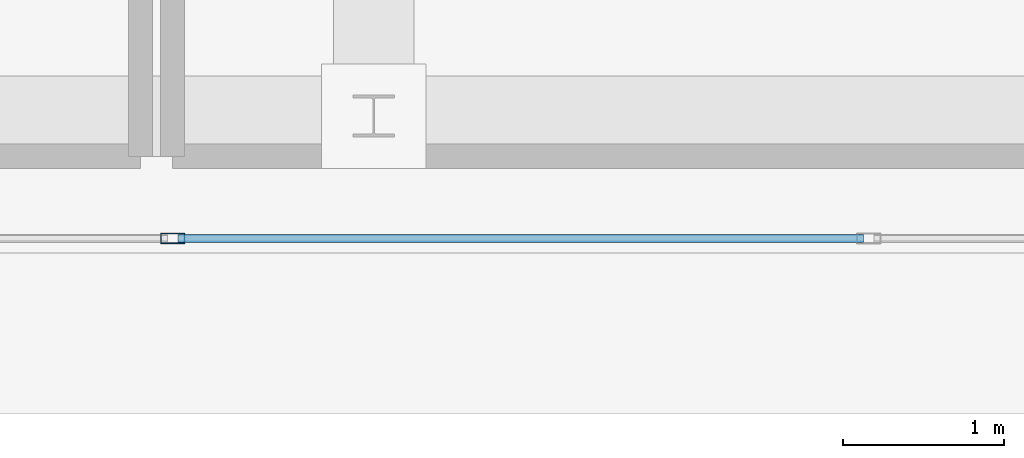
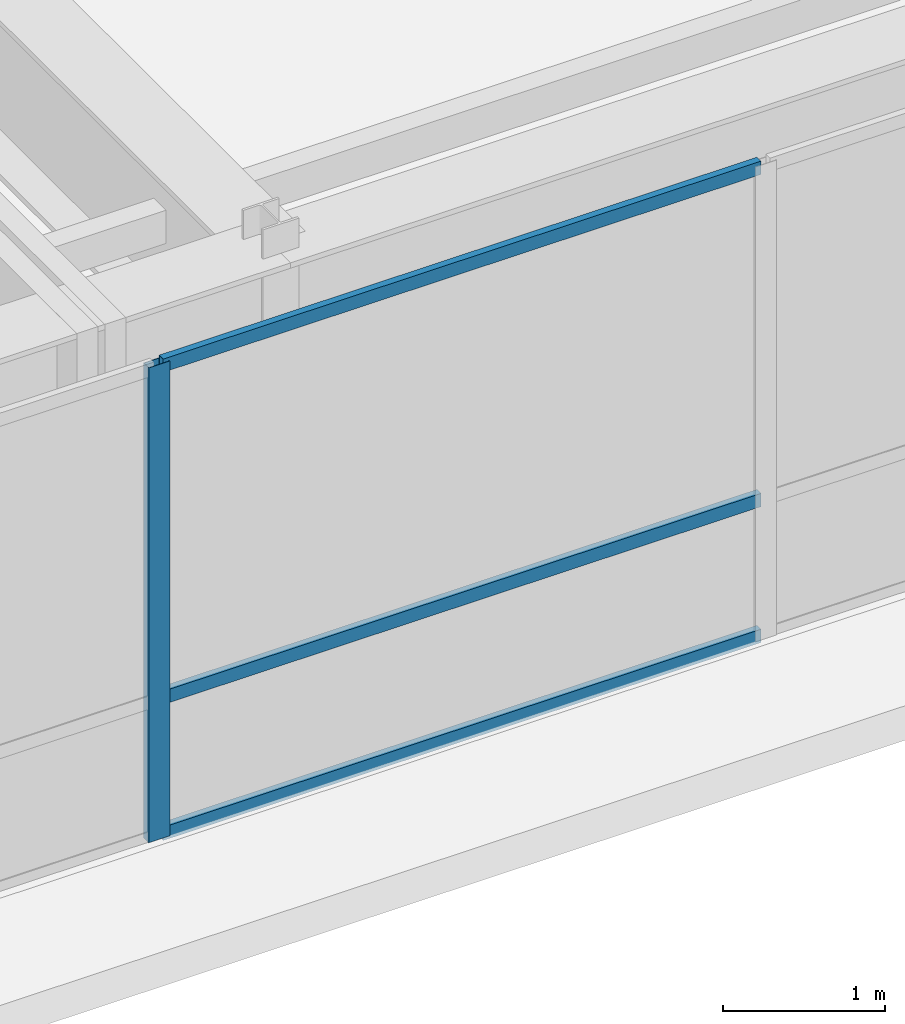
# One storey, part 10 of 35: 4 members, 1 element without a shape of its own.
"""IFC4 building model written with IfcOpenShell, lengths in metres."""

import ifcopenshell
import ifcopenshell.guid

model = None  # the IFC model being written
_history = None  # IfcOwnerHistory: only IFC2X3 demands one
_inside = {}  # id of a spatial element -> (the spatial element, [elements in it])
_under = {}  # id of a project, library or spatial element -> (it, [spatial elements below it])
_declared = {}  # id of a project -> (the project, [libraries it declares])
_typed = {}  # id of a type object -> (the type object, [elements of that type])
_made_of = {}  # id of a material, layer set ... -> (it, [elements and type objects made of it])


def new_model(schema):
    """Start an empty IFC model of exactly this schema.

    Asked for "IFC4X3", IfcOpenShell would pick the latest addendum, in which some entities
    have other attributes; the version numbers below select the first issue.
    IFC2X3 requires an IfcOwnerHistory on every rooted entity: one is made here for all.
    """
    global model, _history
    if schema == "IFC4X3":
        model = ifcopenshell.file(schema_version=(4, 3, 0, 0))
    else:
        model = ifcopenshell.file(schema=schema)
    _inside.clear()
    _under.clear()
    _declared.clear()
    _typed.clear()
    _made_of.clear()
    _history = None
    if model.schema == "IFC2X3":
        org = make("IfcOrganization", Name="unknown")
        user = make(
            "IfcPersonAndOrganization",
            ThePerson=make("IfcPerson", FamilyName="unknown"),
            TheOrganization=org,
        )
        app = make(
            "IfcApplication",
            ApplicationDeveloper=org,
            Version="unknown",
            ApplicationFullName="unknown",
            ApplicationIdentifier="unknown",
        )
        _history = make(
            "IfcOwnerHistory",
            OwningUser=user,
            OwningApplication=app,
            ChangeAction="ADDED",
            CreationDate=0,
        )
    return model


def make(cls, **values):
    """One entity of the class cls with the attributes given. An attribute that is None is left unset."""
    return model.create_entity(
        cls, **{name: value for name, value in values.items() if value is not None}
    )


def rooted(cls, **values):
    """An entity with a GlobalId (a new one), such as an element, a storey or a relation."""
    return make(cls, GlobalId=ifcopenshell.guid.new(), OwnerHistory=_history, **values)


def si_unit(unit_type, name, prefix=None):
    """IfcSIUnit, for example si_unit("LENGTHUNIT", "METRE", prefix="MILLI")."""
    return make("IfcSIUnit", UnitType=unit_type, Prefix=prefix, Name=name)


def assignment(units):
    """IfcUnitAssignment: the units of a project."""
    return None if units is None else make("IfcUnitAssignment", Units=units)


def point(xyz):
    """IfcCartesianPoint."""
    return None if xyz is None else make("IfcCartesianPoint", Coordinates=xyz)


def direction(xyz):
    """IfcDirection."""
    return None if xyz is None else make("IfcDirection", DirectionRatios=xyz)


def frame(location, z_axis=None, x_axis=None):
    """IfcAxis2Placement3D, a coordinate frame: its origin and axes. An axis left out is left unset."""
    return make(
        "IfcAxis2Placement3D",
        Location=point(location),
        Axis=direction(z_axis),
        RefDirection=direction(x_axis),
    )


def frame_2d(location, x_axis=None):
    """IfcAxis2Placement2D, a coordinate frame in the plane: its origin and x axis."""
    return make(
        "IfcAxis2Placement2D", Location=point(location), RefDirection=direction(x_axis)
    )


def origin():
    """The frame at (0, 0, 0) with its axes left unset."""
    return frame((0.0, 0.0, 0.0))


def origin_2d():
    """The frame at (0, 0) in the plane with its x axis left unset."""
    return frame_2d((0.0, 0.0))


def place(relative_to, where):
    """IfcLocalPlacement: puts the frame where relative to a parent placement (None: the world)."""
    return make(
        "IfcLocalPlacement", PlacementRelTo=relative_to, RelativePlacement=where
    )


def context(
    kind, dimensions, precision=None, world=None, true_north=None, identifier=None
):
    """IfcGeometricRepresentationContext, for example the 3D "Model" context."""
    return make(
        "IfcGeometricRepresentationContext",
        ContextIdentifier=identifier,
        ContextType=kind,
        CoordinateSpaceDimension=dimensions,
        Precision=precision,
        WorldCoordinateSystem=world,
        TrueNorth=true_north,
    )


def subcontext(parent, identifier, kind, view, scale=None):
    """IfcGeometricRepresentationSubContext, for example "Body" below "Model"."""
    return make(
        "IfcGeometricRepresentationSubContext",
        ContextIdentifier=identifier,
        ContextType=kind,
        ParentContext=parent,
        TargetScale=scale,
        TargetView=view,
    )


def project(units=None, contexts=None):
    """IfcProject with its units and contexts."""
    return rooted(
        "IfcProject",
        Name="project",
        RepresentationContexts=contexts,
        UnitsInContext=assignment(units),
    )


def spatial(cls, under=None, at=None, **own):
    """A site, building, storey or space (cls), placed at a placement, below another one or the project."""
    s = rooted(cls, ObjectPlacement=at, **own)
    if under is not None:
        _under.setdefault(under.id(), (under, []))[1].append(s)
    return s


def profile(cls, at=None, kind="AREA", **sizes):
    """A parametric profile (cls). Its sizes go by their IFC names, for example OverallWidth=200.0."""
    return make(cls, ProfileType=kind, Position=at, **sizes)


def hollow_rectangle(**sizes):
    """IfcRectangleHollowProfileDef."""
    return profile("IfcRectangleHollowProfileDef", **sizes)


def extrude(swept, where, along, depth):
    """IfcExtrudedAreaSolid: the profile swept, set in the frame where, extruded along a direction by depth."""
    return make(
        "IfcExtrudedAreaSolid",
        SweptArea=swept,
        Position=where,
        ExtrudedDirection=direction(along),
        Depth=depth,
    )


def shape(context_of_items, identifier, shape_type, items):
    """IfcShapeRepresentation: the items that make up one representation, for example the "Body"."""
    return make(
        "IfcShapeRepresentation",
        ContextOfItems=context_of_items,
        RepresentationIdentifier=identifier,
        RepresentationType=shape_type,
        Items=items,
    )


def source(mapping_origin, context_of_items, identifier, shape_type, items):
    """IfcRepresentationMap: a shape defined once, which mapped items show again and again."""
    return make(
        "IfcRepresentationMap",
        MappingOrigin=mapping_origin,
        MappedRepresentation=shape(context_of_items, identifier, shape_type, items),
    )


def transform(
    local_origin,
    x_axis=None,
    y_axis=None,
    z_axis=None,
    scale=None,
    scale2=None,
    scale3=None,
    uniform=True,
):
    """IfcCartesianTransformationOperator3D, or its non-uniform kind. x_axis, y_axis, z_axis: its Axis1, 2, 3."""
    if uniform:
        return make(
            "IfcCartesianTransformationOperator3D",
            Axis1=direction(x_axis),
            Axis2=direction(y_axis),
            LocalOrigin=point(local_origin),
            Scale=scale,
            Axis3=direction(z_axis),
        )
    return make(
        "IfcCartesianTransformationOperator3DnonUniform",
        Axis1=direction(x_axis),
        Axis2=direction(y_axis),
        LocalOrigin=point(local_origin),
        Scale=scale,
        Axis3=direction(z_axis),
        Scale2=scale2,
        Scale3=scale3,
    )


def mapped(mapping_source, mapping_target):
    """IfcMappedItem: shows the shape of a source again, moved by a transform."""
    return make(
        "IfcMappedItem", MappingSource=mapping_source, MappingTarget=mapping_target
    )


def material(Name=None, Category=None):
    """IfcMaterial."""
    return make("IfcMaterial", Name=Name, Category=Category)


def layer(
    of_material, thickness, ventilated=None, Name=None, Category=None, Priority=None
):
    """IfcMaterialLayer: one layer of a wall or slab, of a material (None: an air gap)."""
    return make(
        "IfcMaterialLayer",
        Material=of_material,
        LayerThickness=thickness,
        IsVentilated=ventilated,
        Name=Name,
        Category=Category,
        Priority=Priority,
    )


def layer_set(layers, Name=None):
    """IfcMaterialLayerSet."""
    return make("IfcMaterialLayerSet", MaterialLayers=layers, LayerSetName=Name)


def material_profile(
    of_material, cross_section, Name=None, Category=None, Priority=None
):
    """IfcMaterialProfile: a cross section and its material."""
    return make(
        "IfcMaterialProfile",
        Name=Name,
        Material=of_material,
        Profile=cross_section,
        Priority=Priority,
        Category=Category,
    )


def profile_set(profiles, Name=None, composite=None):
    """IfcMaterialProfileSet."""
    return make(
        "IfcMaterialProfileSet",
        Name=Name,
        MaterialProfiles=profiles,
        CompositeProfile=composite,
    )


def made_of(thing, what):
    """Note that an element or type object is made of a material, layer set ...; save() writes the relation."""
    if what is not None:
        _made_of.setdefault(what.id(), (what, []))[1].append(thing)
    return thing


def type_object(cls, material=None, **own):
    """A type object (cls), such as IfcWallType, which elements share."""
    return made_of(rooted(cls, **own), material)


def type_shapes(of_type, sources):
    """Give a type object the sources (RepresentationMaps) that its elements show as mapped items."""
    of_type.RepresentationMaps = sources


def element(
    cls,
    number,
    at=None,
    inside=None,
    cuts=None,
    type_object=None,
    material=None,
    context=None,
    identifier="Body",
    shape_type=None,
    held_by="IfcProductDefinitionShape",
    body=None,
    shapes=None,
    **own,
):
    """One element of the class cls, such as IfcWall. Its Tag is "e" and its number.

    at: its placement. inside: the storey or other place that contains it. cuts: it is an
    opening in that element (IfcRelVoidsElement). A single representation is given by context,
    identifier, shape_type and body (its items); several are given by shapes. held_by: the class
    of the entity that holds the representations. save() writes the other relations.
    """
    e = rooted(cls, Tag="e%d" % number, ObjectPlacement=at, **own)
    if body is not None:
        shapes = [shape(context, identifier, shape_type, body)]
    if shapes is not None:
        e.Representation = make(held_by, Representations=shapes)
    if inside is not None:
        _inside.setdefault(inside.id(), (inside, []))[1].append(e)
    if cuts is not None:
        rooted(
            "IfcRelVoidsElement", RelatingBuildingElement=cuts, RelatedOpeningElement=e
        )
    if type_object is not None:
        _typed.setdefault(type_object.id(), (type_object, []))[1].append(e)
    return made_of(e, material)


def aggregate(whole, parts):
    """IfcRelAggregates: a whole, such as a stair, and the parts it consists of."""
    return rooted("IfcRelAggregates", RelatingObject=whole, RelatedObjects=parts)


def save(model, path):
    """Write the relations noted so far, then the file.

    IfcRelAggregates (storeys below a building ...), IfcRelContainedInSpatialStructure (elements
    in a storey), IfcRelDefinesByType, IfcRelAssociatesMaterial and IfcRelDeclares: one each for
    every whole, place, type object, material and project.
    """
    for whole, parts in _under.values():
        aggregate(whole, parts)
    for where, things in _inside.values():
        rooted(
            "IfcRelContainedInSpatialStructure",
            RelatedElements=things,
            RelatingStructure=where,
        )
    for kind, things in _typed.values():
        rooted("IfcRelDefinesByType", RelatedObjects=things, RelatingType=kind)
    for what, things in _made_of.values():
        rooted("IfcRelAssociatesMaterial", RelatedObjects=things, RelatingMaterial=what)
    for by, libraries in _declared.values():
        rooted("IfcRelDeclares", RelatingContext=by, RelatedDefinitions=libraries)
    model.write(path)


model = new_model("IFC4")

# Units and contexts
model_context = context("Model", 3, precision=1e-05, world=origin(), true_north=direction((0.0, 1.0)))
body_context = subcontext(model_context, "Body", "Model", "MODEL_VIEW")
ifc_project = project(units=[si_unit("LENGTHUNIT", "METRE"), si_unit("AREAUNIT", "SQUARE_METRE"), si_unit("VOLUMEUNIT", "CUBIC_METRE"), si_unit("PLANEANGLEUNIT", "RADIAN"), si_unit("MASSUNIT", "GRAM", prefix="KILO")], contexts=[model_context])

# Site, building, storey
site_placement = place(None, origin())
site = spatial("IfcSite", under=ifc_project, at=site_placement, CompositionType="ELEMENT")
building_placement = place(site_placement, origin())
building = spatial("IfcBuilding", under=site, at=building_placement, Name="Tolvann Quenvar Hotel", CompositionType="ELEMENT")
storey_placement = place(building_placement, frame((0.0, 0.0, 290.949951171875)))
storey = spatial("IfcBuildingStorey", under=building, at=storey_placement, Name="L77", CompositionType="ELEMENT", Elevation=290.949951171875)

# Curtain wall, members
ifc_material_1 = material(Name="Thermally broken anodised architectural aluminium 6063-T6 and laminated low-E glass", Category="aluminium")
ifc_layer = layer(ifc_material_1, 0.179931640625)
ifc_layer_set = layer_set([ifc_layer], Name="Thermally broken anodised architectural aluminium 6063-T6 and laminated low-E glass")
curtain_wall_type = type_object("IfcCurtainWallType", Name="CW_SYS_LANT_06", PredefinedType="USERDEFINED", material=ifc_layer_set)
curtain_wall_placement = place(storey_placement, origin())
curtain_wall = element("IfcCurtainWall", 1, at=curtain_wall_placement, inside=storey, type_object=curtain_wall_type, Name="Curtain Wall CW-LANT-06 (CWR-L77-E04)", ObjectType="UNITISED CURTAIN WALL", PredefinedType="USERDEFINED")
ifc_material_2 = material(Name="Anodised architectural aluminium 6063-T6 framing", Category="aluminium")
ifc_material_profile_1 = material_profile(ifc_material_2, hollow_rectangle(XDim=0.06494140625, YDim=0.14990234375, WallThickness=0.00390625, at=origin_2d()), Name="150x65x4RHS")
ifc_profile_set_1 = profile_set([ifc_material_profile_1], Name="Anodised architectural aluminium 6063-T6 framing")
member_type_1 = type_object("IfcMemberType", Name="CW_MULL_150x65", PredefinedType="MULLION", material=ifc_profile_set_1)
shared_shape_1 = source(origin(), body_context, "Body", "SweptSolid", [
    extrude(hollow_rectangle(XDim=0.06494140625, YDim=0.14990234375, WallThickness=0.00390625, at=origin_2d()), origin(), (0.0, 0.0, 1.0), 3.580078125),
])
type_shapes(member_type_1, [shared_shape_1])
member_1_placement = place(storey_placement, frame((20.800048828125, 6.2900390625, 0.0), z_axis=(0.0, 0.0, 1.0), x_axis=(0.0, 1.0, 0.0)))
member_1 = element("IfcMember", 2, at=member_1_placement, type_object=member_type_1, Name="CW-LANT-06 mullion 4", PredefinedType="MULLION", context=body_context, shape_type="MappedRepresentation", body=[
    mapped(shared_shape_1, transform((0.0, 0.0, 0.0), x_axis=(1.0, 0.0, 0.0), y_axis=(0.0, 1.0, 0.0), z_axis=(0.0, 0.0, 1.0), scale=1.0)),
])
ifc_material_profile_2 = material_profile(ifc_material_2, hollow_rectangle(XDim=0.050048828125, YDim=0.10009765625, WallThickness=0.0029296875, at=origin_2d()), Name="100x50x3RHS")
ifc_profile_set_2 = profile_set([ifc_material_profile_2], Name="Anodised architectural aluminium 6063-T6 framing")
member_type_2 = type_object("IfcMemberType", Name="CW_TRAN_100x50", PredefinedType="USERDEFINED", material=ifc_profile_set_2)
shared_shape_2 = source(origin(), body_context, "Body", "SweptSolid", [
    extrude(hollow_rectangle(XDim=0.050048828125, YDim=0.10009765625, WallThickness=0.0029296875, at=origin_2d()), origin(), (0.0, 0.0, 1.0), 4.2626953125),
])
type_shapes(member_type_2, [shared_shape_2])
member_2_placement = place(storey_placement, frame((20.83251953125, 6.2900390625, 0.025146484375), z_axis=(1.0, 0.0, 0.0), x_axis=(0.0, 1.0, 0.0)))
member_2 = element("IfcMember", 3, at=member_2_placement, type_object=member_type_2, Name="CW-LANT-06 transom 4.1", ObjectType="TRANSOM", PredefinedType="USERDEFINED", context=body_context, shape_type="MappedRepresentation", body=[
    mapped(shared_shape_2, transform((0.0, 0.0, 0.0), x_axis=(1.0, 0.0, 0.0), y_axis=(0.0, 1.0, 0.0), z_axis=(0.0, 0.0, 1.0), scale=1.0)),
])
member_3_placement = place(storey_placement, frame((20.83251953125, 6.2900390625, 1.050048828125), z_axis=(1.0, 0.0, 0.0), x_axis=(0.0, 1.0, 0.0)))
member_3 = element("IfcMember", 4, at=member_3_placement, type_object=member_type_2, Name="CW-LANT-06 transom 4.2", ObjectType="TRANSOM", PredefinedType="USERDEFINED", context=body_context, shape_type="MappedRepresentation", body=[
    mapped(shared_shape_2, transform((0.0, 0.0, 0.0), x_axis=(1.0, 0.0, 0.0), y_axis=(0.0, 1.0, 0.0), z_axis=(0.0, 0.0, 1.0), scale=1.0)),
])
member_4_placement = place(storey_placement, frame((20.83251953125, 6.2900390625, 3.554931640625), z_axis=(1.0, 0.0, 0.0), x_axis=(0.0, 1.0, 0.0)))
member_4 = element("IfcMember", 5, at=member_4_placement, type_object=member_type_2, Name="CW-LANT-06 transom 4.3", ObjectType="TRANSOM", PredefinedType="USERDEFINED", context=body_context, shape_type="MappedRepresentation", body=[
    mapped(shared_shape_2, transform((0.0, 0.0, 0.0), x_axis=(1.0, 0.0, 0.0), y_axis=(0.0, 1.0, 0.0), z_axis=(0.0, 0.0, 1.0), scale=1.0)),
])
aggregate(curtain_wall, [member_1, member_2, member_3, member_4])

save(model, "model.ifc")
